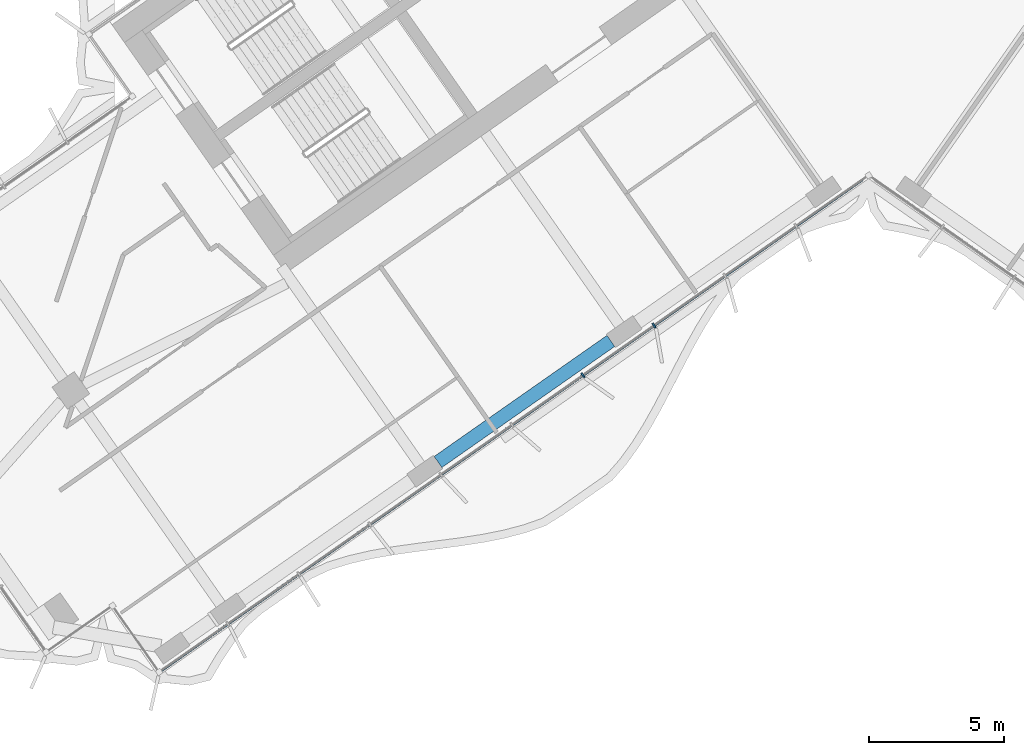
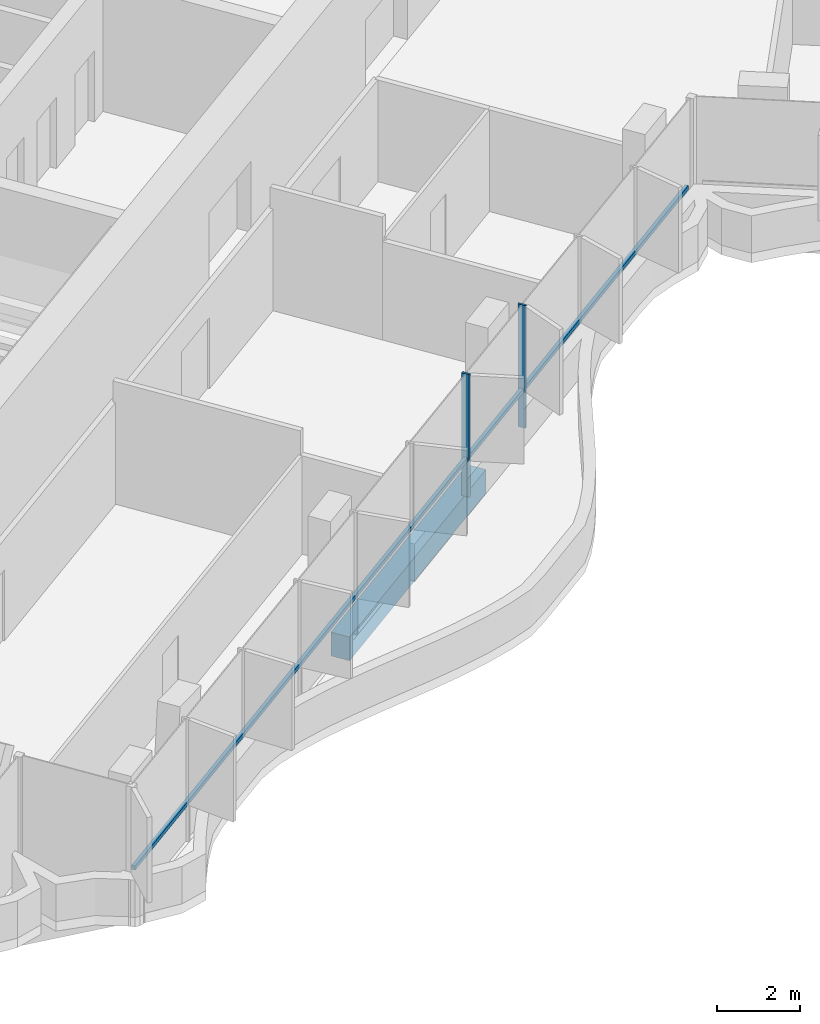
# One storey, part 3 of 23: 3 members, 1 beam, 1 element without a shape of its own.
"""IFC4 building model written with IfcOpenShell, lengths in metres."""

from ifc_helpers import new_model, si_unit, direction, frame, origin, origin_2d, place, context, subcontext, project, spatial, rectangle, extrude, material, material_profile, profile_set, type_object, element, aggregate, save


model = new_model("IFC4")

# Units and contexts
model_context = context("Model", 3, precision=1e-05, world=origin(), true_north=direction((0.0, 1.0)))
body_context = subcontext(model_context, "Body", "Model", "MODEL_VIEW")
ifc_project = project(units=[si_unit("LENGTHUNIT", "METRE"), si_unit("AREAUNIT", "SQUARE_METRE"), si_unit("VOLUMEUNIT", "CUBIC_METRE"), si_unit("PLANEANGLEUNIT", "RADIAN"), si_unit("MASSUNIT", "GRAM", prefix="KILO")], contexts=[model_context])

# Site, building, storey
site_placement = place(None, origin())
site = spatial("IfcSite", under=ifc_project, at=site_placement, CompositionType="ELEMENT")
building_placement = place(site_placement, origin())
building = spatial("IfcBuilding", under=site, at=building_placement, Name="Tel Ilan Convention Tower", CompositionType="ELEMENT")
storey_placement = place(building_placement, frame((0.0, 0.0, 198.300048828125)))
storey = spatial("IfcBuildingStorey", under=building, at=storey_placement, Name="L46", CompositionType="ELEMENT", Elevation=198.300048828125)

# Beam
ifc_material_1 = material(Name="Concrete C40/50", Category="concrete")
ifc_material_profile_1 = material_profile(ifc_material_1, rectangle(XDim=0.5, YDim=0.699951171875, at=origin_2d()), Name="RC 500x700")
ifc_profile_set_1 = profile_set([ifc_material_profile_1], Name="Concrete C40/50")
beam_type = type_object("IfcBeamType", Name="Beam RC 500x700 Concrete C40/50", PredefinedType="BEAM", material=ifc_profile_set_1)
beam_placement = place(storey_placement, frame((-9.529052734375, -18.819091796875, -0.630126953125), z_axis=(-0.819153977895, -0.573573674866, 0.0), x_axis=(0.573573674866, -0.819153977895, 0.0)))
element("IfcBeam", 1, at=beam_placement, inside=storey, type_object=beam_type, Name="L46 beam W-W-F2-W-F3", PredefinedType="BEAM", context=body_context, shape_type="SweptSolid", body=[
    extrude(rectangle(XDim=0.5, YDim=0.699951171875, at=origin_2d()), origin(), (0.0, 0.0, 1.0), 7.800048828125),
])

# Curtain wall, members
ifc_material_2 = material(Name="Aluminium, bronze anodised", Category="aluminium")
curtain_wall_type = type_object("IfcCurtainWallType", Name="CW4 STICK CURTAIN WALL, OFFICE TINTED GLASS", PredefinedType="NOTDEFINED", material=ifc_material_2)
curtain_wall_placement = place(storey_placement, origin())
curtain_wall = element("IfcCurtainWall", 2, at=curtain_wall_placement, inside=storey, type_object=curtain_wall_type, Name="Curtain wall CW4-36.02", PredefinedType="NOTDEFINED")
ifc_material_3 = material(Name="Aluminium, bronze anodised", Category="aluminium")
ifc_material_profile_2 = material_profile(ifc_material_3, rectangle(XDim=0.06005859375, YDim=0.199951171875, at=origin_2d()), Name="CW MULLION 60x200")
ifc_profile_set_2 = profile_set([ifc_material_profile_2], Name="Aluminium, bronze anodised")
member_type_1 = type_object("IfcMemberType", Name="CW MULLION 60x200", PredefinedType="MULLION", material=ifc_profile_set_2)
member_1_placement = place(storey_placement, frame((-10.55810546875, -20.0888671875, 0.0), z_axis=(0.0, 0.0, 1.0), x_axis=(0.819152044289, 0.573576436351, 0.0)))
member_1 = element("IfcMember", 3, at=member_1_placement, type_object=member_type_1, Name="Mullion", PredefinedType="MULLION", context=body_context, shape_type="SweptSolid", body=[
    extrude(rectangle(XDim=0.06005859375, YDim=0.199951171875, at=origin_2d()), origin(), (0.0, 0.0, 1.0), 3.619873046875),
])
member_2_placement = place(storey_placement, frame((-7.932861328125, -18.250732421875, 0.0), z_axis=(0.0, 0.0, 1.0), x_axis=(0.819152044289, 0.573576436351, 0.0)))
member_2 = element("IfcMember", 4, at=member_2_placement, type_object=member_type_1, Name="Mullion", PredefinedType="MULLION", context=body_context, shape_type="SweptSolid", body=[
    extrude(rectangle(XDim=0.06005859375, YDim=0.199951171875, at=origin_2d()), origin(), (0.0, 0.0, 1.0), 3.619873046875),
])
ifc_material_4 = material(Name="Aluminium, bronze anodised", Category="aluminium")
ifc_material_profile_3 = material_profile(ifc_material_4, rectangle(XDim=0.10009765625, YDim=0.1201171875, at=origin_2d()), Name="CW TRANSOM 100x120")
ifc_profile_set_3 = profile_set([ifc_material_profile_3], Name="Aluminium, bronze anodised")
member_type_2 = type_object("IfcMemberType", Name="CW TRANSOM 100x120", PredefinedType="USERDEFINED", material=ifc_profile_set_3)
member_3_placement = place(storey_placement, frame((-26.1455078125, -31.00341796875, 1.099853515625), z_axis=(0.819149281128, 0.573580382534, 0.0), x_axis=(-0.573580382534, 0.819149281128, 0.0)))
member_3 = element("IfcMember", 5, at=member_3_placement, type_object=member_type_2, Name="Transom", ObjectType="TRANSOM", PredefinedType="USERDEFINED", context=body_context, shape_type="SweptSolid", body=[
    extrude(rectangle(XDim=0.10009765625, YDim=0.1201171875, at=origin_2d()), origin(), (0.0, 0.0, 1.0), 31.64794921875),
])
aggregate(curtain_wall, [member_1, member_2, member_3])

save(model, "model.ifc")
